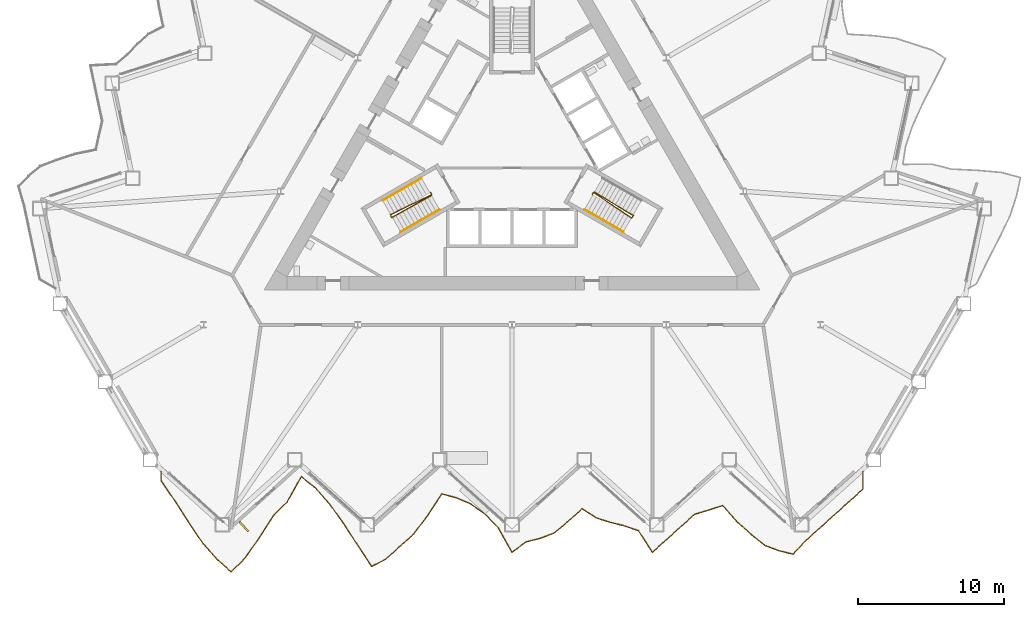
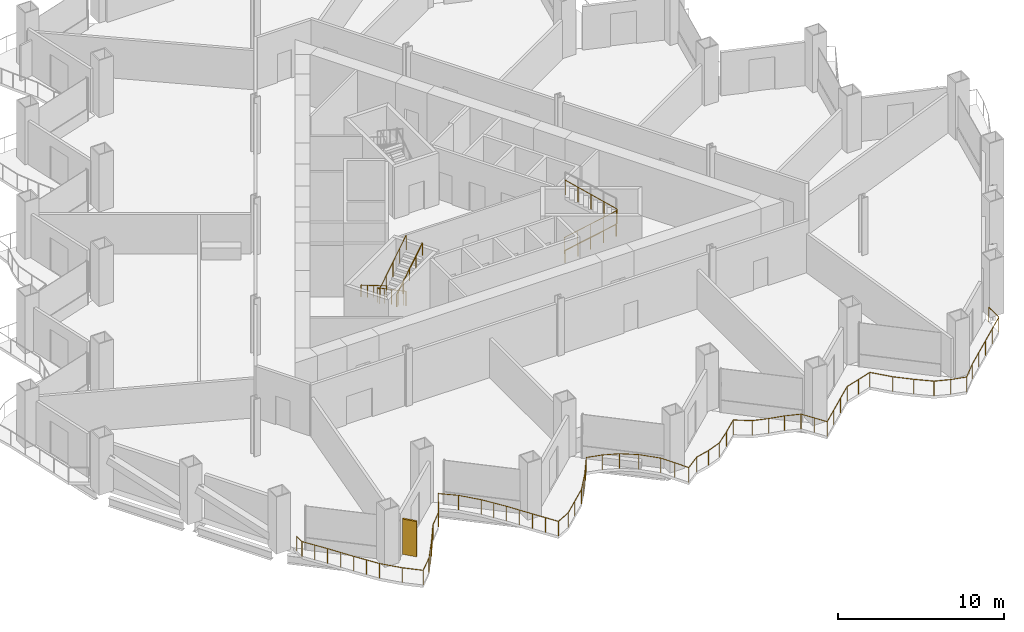
# One storey, part 16 of 20: 6 railings, 1 shading device.
"""IFC4 building model written with IfcOpenShell, lengths in metres."""

from ifc_helpers import new_model, si_unit, direction, frame, origin, origin_2d, place, context, subcontext, project, spatial, rectangle, circle, extrude, material, layer, layer_set, type_object, element, save


model = new_model("IFC4")

# Units and contexts
model_context = context("Model", 3, precision=1e-05, world=origin(), true_north=direction((0.0, 1.0)))
body_context = subcontext(model_context, "Body", "Model", "MODEL_VIEW")
ifc_project = project(units=[si_unit("LENGTHUNIT", "METRE"), si_unit("AREAUNIT", "SQUARE_METRE"), si_unit("VOLUMEUNIT", "CUBIC_METRE"), si_unit("PLANEANGLEUNIT", "RADIAN"), si_unit("MASSUNIT", "GRAM", prefix="KILO")], contexts=[model_context])

# Site, building, storey
site_placement = place(None, origin())
site = spatial("IfcSite", under=ifc_project, at=site_placement, CompositionType="ELEMENT")
building_placement = place(site_placement, origin())
building = spatial("IfcBuilding", under=site, at=building_placement, Name="Cormorant Prow Tower", CompositionType="ELEMENT")
storey_placement = place(building_placement, frame((0.0, 0.0, 34.199951171875)))
storey = spatial("IfcBuildingStorey", under=building, at=storey_placement, Name="L06", CompositionType="ELEMENT", Elevation=34.199951171875)

# Railings
ifc_material_1 = material(Name="Aluminium 6063-T6", Category="aluminium")
railing_type_1 = type_object("IfcRailingType", Name="Balcony guard 1100", PredefinedType="GUARDRAIL", material=ifc_material_1)
railing_1_placement = place(storey_placement, frame((-24.087890625, -22.2685546875, 0.0)))
element("IfcRailing", 1, at=railing_1_placement, inside=storey, type_object=railing_type_1, Name="Balcony guard S", PredefinedType="GUARDRAIL", context=body_context, shape_type="SweptSolid", body=[
    extrude(circle(Radius=0.02392578125, at=origin_2d()), frame((0.0, 0.0, 1.076171875), z_axis=(0.0, -1.0, 0.0), x_axis=(1.0, 0.0, 0.0)), (0.0, 0.0, 1.0), 0.63623046875),
    extrude(circle(Radius=0.02392578125, at=origin_2d()), frame((0.0, -0.63623046875, 1.076171875), z_axis=(0.564130420865, -0.825685695804, 0.0), x_axis=(0.825685695804, 0.564130420865, 0.0)), (0.0, 0.0, 1.0), 1.708251953125),
    extrude(circle(Radius=0.02392578125, at=origin_2d()), frame((0.963623046875, -2.046630859375, 1.076171875), z_axis=(0.541242645962, -0.840866456812, 0.0), x_axis=(0.840866456812, 0.541242645962, 0.0)), (0.0, 0.0, 1.0), 1.7802734375),
    extrude(circle(Radius=0.02392578125, at=origin_2d()), frame((1.92724609375, -3.543701171875, 1.076171875), z_axis=(0.560389601216, -0.828229131853, 0.0), x_axis=(0.828229131853, 0.560389601216, 0.0)), (0.0, 0.0, 1.0), 1.71923828125),
    extrude(circle(Radius=0.02392578125, at=origin_2d()), frame((2.890625, -4.967529296875, 1.076171875), z_axis=(0.668253524619, -0.743933617223, 0.0), x_axis=(0.743933617223, 0.668253524619, 0.0)), (0.0, 0.0, 1.0), 1.44189453125),
    extrude(circle(Radius=0.02392578125, at=origin_2d()), frame((3.854248046875, -6.040283203125, 1.076171875), z_axis=(0.743050653284, -0.669235180378, 0.0), x_axis=(0.669235180378, 0.743050653284, 0.0)), (0.0, 0.0, 1.0), 1.296630859375),
    extrude(circle(Radius=0.02392578125, at=origin_2d()), frame((4.817626953125, -6.907958984375, 1.076171875), z_axis=(0.708182499572, 0.70602942382, 0.0), x_axis=(-0.70602942382, 0.708182499572, 0.0)), (0.0, 0.0, 1.0), 1.360595703125),
    extrude(circle(Radius=0.02392578125, at=origin_2d()), frame((5.78125, -5.947265625, 1.076171875), z_axis=(0.572245109374, 0.820082639005, 0.0), x_axis=(-0.820082639005, 0.572245109374, 0.0)), (0.0, 0.0, 1.0), 1.68359375),
    extrude(circle(Radius=0.02392578125, at=origin_2d()), frame((6.74462890625, -4.566650390625, 1.076171875), z_axis=(0.542180058603, 0.840262330498, 0.0), x_axis=(-0.840262330498, 0.542180058603, 0.0)), (0.0, 0.0, 1.0), 1.77734375),
    extrude(circle(Radius=0.02392578125, at=origin_2d()), frame((7.708251953125, -3.0732421875, 1.076171875), z_axis=(0.699000899641, 0.715120788609, 0.0), x_axis=(-0.715120788609, 0.699000899641, 0.0)), (0.0, 0.0, 1.0), 1.378173828125),
    extrude(circle(Radius=0.02392578125, at=origin_2d()), frame((8.671630859375, -2.087646484375, 1.076171875), z_axis=(0.489672110006, 0.871906660533, 0.0), x_axis=(-0.871906660533, 0.489672110006, 0.0)), (0.0, 0.0, 1.0), 1.9677734375),
    extrude(circle(Radius=0.02392578125, at=origin_2d()), frame((9.63525390625, -0.371826171875, 1.076171875), z_axis=(0.780173921778, -0.625562668146, 0.0), x_axis=(0.625562668146, 0.780173921778, 0.0)), (0.0, 0.0, 1.0), 1.23486328125),
    extrude(circle(Radius=0.02392578125, at=origin_2d()), frame((10.5986328125, -1.144287109375, 1.076171875), z_axis=(0.663142839826, -0.748492868362, 0.0), x_axis=(0.748492868362, 0.663142839826, 0.0)), (0.0, 0.0, 1.0), 1.453125),
    extrude(circle(Radius=0.02392578125, at=origin_2d()), frame((11.562255859375, -2.23193359375, 1.076171875), z_axis=(0.581712103696, -0.813394755586, 0.0), x_axis=(0.813394755586, 0.581712103696, 0.0)), (0.0, 0.0, 1.0), 1.656494140625),
    extrude(circle(Radius=0.02392578125, at=origin_2d()), frame((12.52587890625, -3.579345703125, 1.076171875), z_axis=(0.54421734082, -0.83894426868, 0.0), x_axis=(0.83894426868, 0.54421734082, 0.0)), (0.0, 0.0, 1.0), 1.770263671875),
    extrude(circle(Radius=0.02392578125, at=origin_2d()), frame((13.4892578125, -5.064453125, 1.076171875), z_axis=(0.549133466839, -0.835734668179, 0.0), x_axis=(0.835734668179, 0.549133466839, 0.0)), (0.0, 0.0, 1.0), 1.7548828125),
    extrude(circle(Radius=0.02392578125, at=origin_2d()), frame((14.452880859375, -6.531005859375, 1.076171875), z_axis=(0.891060175297, 0.453885188126, 0.0), x_axis=(-0.453885188126, 0.891060175297, 0.0)), (0.0, 0.0, 1.0), 1.0810546875),
    extrude(circle(Radius=0.02392578125, at=origin_2d()), frame((15.416259765625, -6.040283203125, 1.076171875), z_axis=(0.743228601046, 0.669037552449, 0.0), x_axis=(-0.669037552449, 0.743228601046, 0.0)), (0.0, 0.0, 1.0), 1.296630859375),
    extrude(circle(Radius=0.02392578125, at=origin_2d()), frame((16.3798828125, -5.1728515625, 1.076171875), z_axis=(0.743050653284, 0.669235180378, 0.0), x_axis=(-0.669235180378, 0.743050653284, 0.0)), (0.0, 0.0, 1.0), 1.296630859375),
    extrude(circle(Radius=0.02392578125, at=origin_2d()), frame((17.34326171875, -4.30517578125, 1.076171875), z_axis=(0.601803731083, 0.798644019106, 0.0), x_axis=(-0.798644019106, 0.601803731083, 0.0)), (0.0, 0.0, 1.0), 1.601318359375),
    extrude(circle(Radius=0.02392578125, at=origin_2d()), frame((18.306884765625, -3.0263671875, 1.076171875), z_axis=(0.547570857213, 0.836759318042, 0.0), x_axis=(-0.836759318042, 0.547570857213, 0.0)), (0.0, 0.0, 1.0), 1.75927734375),
    extrude(circle(Radius=0.02392578125, at=origin_2d()), frame((19.270263671875, -1.55419921875, 1.076171875), z_axis=(0.966934765994, -0.255023838713, 0.0), x_axis=(0.255023838713, 0.966934765994, 0.0)), (0.0, 0.0, 1.0), 0.99658203125),
    extrude(circle(Radius=0.02392578125, at=origin_2d()), frame((20.23388671875, -1.808349609375, 1.076171875), z_axis=(0.923208352107, -0.384299803018, 0.0), x_axis=(0.384299803018, 0.923208352107, 0.0)), (0.0, 0.0, 1.0), 1.043701171875),
    extrude(circle(Radius=0.02392578125, at=origin_2d()), frame((21.197509765625, -2.20947265625, 1.076171875), z_axis=(0.822469724274, -0.568808889393, 0.0), x_axis=(0.568808889393, 0.822469724274, 0.0)), (0.0, 0.0, 1.0), 1.17138671875),
    extrude(circle(Radius=0.02392578125, at=origin_2d()), frame((22.160888671875, -2.875732421875, 1.076171875), z_axis=(0.700066090951, -0.714078054768, 0.0), x_axis=(0.714078054768, 0.700066090951, 0.0)), (0.0, 0.0, 1.0), 1.37646484375),
    extrude(circle(Radius=0.02392578125, at=origin_2d()), frame((23.12451171875, -3.858642578125, 1.076171875), z_axis=(0.493201776471, -0.869914942788, 0.0), x_axis=(0.869914942788, 0.493201776471, 0.0)), (0.0, 0.0, 1.0), 1.953369140625),
    extrude(circle(Radius=0.02392578125, at=origin_2d()), frame((24.087890625, -5.557861328125, 1.076171875), z_axis=(0.805112244853, 0.593122477392, 0.0), x_axis=(-0.593122477392, 0.805112244853, 0.0)), (0.0, 0.0, 1.0), 1.196533203125),
    extrude(circle(Radius=0.02392578125, at=origin_2d()), frame((25.05126953125, -4.84814453125, 1.076171875), z_axis=(0.969371980339, 0.245597157421, 0.0), x_axis=(-0.245597157421, 0.969371980339, 0.0)), (0.0, 0.0, 1.0), 0.994140625),
    extrude(circle(Radius=0.02392578125, at=origin_2d()), frame((26.014892578125, -4.60400390625, 1.076171875), z_axis=(0.934742672435, 0.355325394996, 0.0), x_axis=(-0.355325394996, 0.934742672435, 0.0)), (0.0, 0.0, 1.0), 1.030517578125),
    extrude(circle(Radius=0.02392578125, at=origin_2d()), frame((26.978271484375, -4.23779296875, 1.076171875), z_axis=(0.769386385449, 0.63878368004, 0.0), x_axis=(-0.63878368004, 0.769386385449, 0.0)), (0.0, 0.0, 1.0), 1.25244140625),
    extrude(circle(Radius=0.02392578125, at=origin_2d()), frame((27.94189453125, -3.437744140625, 1.076171875), z_axis=(0.743134972725, 0.669141548787, 0.0), x_axis=(-0.669141548787, 0.743134972725, 0.0)), (0.0, 0.0, 1.0), 1.296630859375),
    extrude(circle(Radius=0.02392578125, at=origin_2d()), frame((28.905517578125, -2.570068359375, 1.076171875), z_axis=(0.836102577641, -0.548573130642, 0.0), x_axis=(0.548573130642, 0.836102577641, 0.0)), (0.0, 0.0, 1.0), 1.15234375),
    extrude(circle(Radius=0.02392578125, at=origin_2d()), frame((29.868896484375, -3.2021484375, 1.076171875), z_axis=(0.954165439389, -0.299279658972, 0.0), x_axis=(0.299279658972, 0.954165439389, 0.0)), (0.0, 0.0, 1.0), 1.010009765625),
    extrude(circle(Radius=0.02392578125, at=origin_2d()), frame((30.83251953125, -3.50439453125, 1.076171875), z_axis=(0.970632462035, -0.240567295456, 0.0), x_axis=(0.240567295456, 0.970632462035, 0.0)), (0.0, 0.0, 1.0), 0.992431640625),
    extrude(circle(Radius=0.02392578125, at=origin_2d()), frame((31.7958984375, -3.7431640625, 1.076171875), z_axis=(0.944487111612, -0.328548468265, 0.0), x_axis=(0.328548468265, 0.944487111612, 0.0)), (0.0, 0.0, 1.0), 1.020263671875),
    extrude(circle(Radius=0.02392578125, at=origin_2d()), frame((32.759521484375, -4.078369140625, 1.076171875), z_axis=(0.545668654747, -0.838001025791, 0.0), x_axis=(0.838001025791, 0.545668654747, 0.0)), (0.0, 0.0, 1.0), 1.765380859375),
    extrude(circle(Radius=0.02392578125, at=origin_2d()), frame((33.722900390625, -5.557861328125, 1.076171875), z_axis=(0.743134972725, 0.669141548787, 0.0), x_axis=(-0.669141548787, 0.743134972725, 0.0)), (0.0, 0.0, 1.0), 1.296630859375),
    extrude(circle(Radius=0.02392578125, at=origin_2d()), frame((34.6865234375, -4.690185546875, 1.076171875), z_axis=(0.743144297188, 0.669131193084, 0.0), x_axis=(-0.669131193084, 0.743144297188, 0.0)), (0.0, 0.0, 1.0), 1.29638671875),
    extrude(circle(Radius=0.02392578125, at=origin_2d()), frame((35.64990234375, -3.82275390625, 1.076171875), z_axis=(0.743134972725, 0.669141548787, 0.0), x_axis=(-0.669141548787, 0.743134972725, 0.0)), (0.0, 0.0, 1.0), 1.296630859375),
    extrude(circle(Radius=0.02392578125, at=origin_2d()), frame((36.613525390625, -2.955078125, 1.076171875), z_axis=(0.956893812286, 0.290438000283, 0.0), x_axis=(-0.290438000283, 0.956893812286, 0.0)), (0.0, 0.0, 1.0), 1.007080078125),
    extrude(circle(Radius=0.02392578125, at=origin_2d()), frame((37.5771484375, -2.66259765625, 1.076171875), z_axis=(0.952474581645, 0.304618074515, 0.0), x_axis=(-0.304618074515, 0.952474581645, 0.0)), (0.0, 0.0, 1.0), 1.011474609375),
    extrude(circle(Radius=0.02392578125, at=origin_2d()), frame((38.54052734375, -2.3544921875, 1.076171875), z_axis=(0.664645994415, -0.747158418348, 0.0), x_axis=(0.747158418348, 0.664645994415, 0.0)), (0.0, 0.0, 1.0), 1.44970703125),
    extrude(circle(Radius=0.02392578125, at=origin_2d()), frame((39.504150390625, -3.437744140625, 1.076171875), z_axis=(0.743144297188, -0.669131193084, 0.0), x_axis=(0.669131193084, 0.743144297188, 0.0)), (0.0, 0.0, 1.0), 1.29638671875),
    extrude(circle(Radius=0.02392578125, at=origin_2d()), frame((40.467529296875, -4.30517578125, 1.076171875), z_axis=(0.775819307807, -0.630955150256, 0.0), x_axis=(0.630955150256, 0.775819307807, 0.0)), (0.0, 0.0, 1.0), 1.2421875),
    extrude(circle(Radius=0.02392578125, at=origin_2d()), frame((41.43115234375, -5.0888671875, 1.076171875), z_axis=(0.937321115952, -0.348466821364, 0.0), x_axis=(0.348466821364, 0.937321115952, 0.0)), (0.0, 0.0, 1.0), 1.02783203125),
    extrude(circle(Radius=0.02392578125, at=origin_2d()), frame((42.39453125, -5.447021484375, 1.076171875), z_axis=(0.969780099209, -0.243980653285, 0.0), x_axis=(0.243980653285, 0.969780099209, 0.0)), (0.0, 0.0, 1.0), 0.99365234375),
    extrude(circle(Radius=0.02392578125, at=origin_2d()), frame((43.358154296875, -5.689453125, 1.076171875), z_axis=(0.694060700368, 0.719916484188, 0.0), x_axis=(-0.719916484188, 0.694060700368, 0.0)), (0.0, 0.0, 1.0), 1.387939453125),
    extrude(circle(Radius=0.02392578125, at=origin_2d()), frame((44.321533203125, -4.690185546875, 1.076171875), z_axis=(0.743228601046, 0.669037552449, 0.0), x_axis=(-0.669037552449, 0.743228601046, 0.0)), (0.0, 0.0, 1.0), 1.296630859375),
    extrude(circle(Radius=0.02392578125, at=origin_2d()), frame((45.28515625, -3.82275390625, 1.076171875), z_axis=(0.743050653284, 0.669235180378, 0.0), x_axis=(-0.669235180378, 0.743050653284, 0.0)), (0.0, 0.0, 1.0), 1.296630859375),
    extrude(circle(Radius=0.02392578125, at=origin_2d()), frame((46.24853515625, -2.955078125, 1.076171875), z_axis=(0.743228601046, 0.669037552449, 0.0), x_axis=(-0.669037552449, 0.743228601046, 0.0)), (0.0, 0.0, 1.0), 1.296630859375),
    extrude(circle(Radius=0.02392578125, at=origin_2d()), frame((47.212158203125, -2.087646484375, 1.076171875), z_axis=(0.743134972725, 0.669141548787, 0.0), x_axis=(-0.669141548787, 0.743134972725, 0.0)), (0.0, 0.0, 1.0), 1.296630859375),
    extrude(circle(Radius=0.02392578125, at=origin_2d()), frame((48.17578125, -1.219970703125, 1.076171875), z_axis=(0.0, 1.0, 0.0), x_axis=(-1.0, 0.0, 0.0)), (0.0, 0.0, 1.0), 1.219970703125),
    extrude(circle(Radius=0.02099609375, at=origin_2d()), origin(), (0.0, 0.0, 1.0), 1.052001953125),
    extrude(circle(Radius=0.02099609375, at=origin_2d()), frame((0.0, -0.63623046875, 0.0)), (0.0, 0.0, 1.0), 1.052001953125),
    extrude(circle(Radius=0.02099609375, at=origin_2d()), frame((0.48193359375, -1.34130859375, 0.0)), (0.0, 0.0, 1.0), 1.052001953125),
    extrude(circle(Radius=0.02099609375, at=origin_2d()), frame((0.963623046875, -2.046630859375, 0.0)), (0.0, 0.0, 1.0), 1.052001953125),
    extrude(circle(Radius=0.02099609375, at=origin_2d()), frame((1.4453125, -2.795166015625, 0.0)), (0.0, 0.0, 1.0), 1.052001953125),
    extrude(circle(Radius=0.02099609375, at=origin_2d()), frame((1.92724609375, -3.543701171875, 0.0)), (0.0, 0.0, 1.0), 1.052001953125),
    extrude(circle(Radius=0.02099609375, at=origin_2d()), frame((2.408935546875, -4.255615234375, 0.0)), (0.0, 0.0, 1.0), 1.052001953125),
    extrude(circle(Radius=0.02099609375, at=origin_2d()), frame((2.890625, -4.967529296875, 0.0)), (0.0, 0.0, 1.0), 1.052001953125),
    extrude(circle(Radius=0.02099609375, at=origin_2d()), frame((3.854248046875, -6.040283203125, 0.0)), (0.0, 0.0, 1.0), 1.052001953125),
    extrude(circle(Radius=0.02099609375, at=origin_2d()), frame((4.817626953125, -6.907958984375, 0.0)), (0.0, 0.0, 1.0), 1.052001953125),
    extrude(circle(Radius=0.02099609375, at=origin_2d()), frame((5.78125, -5.947265625, 0.0)), (0.0, 0.0, 1.0), 1.052001953125),
    extrude(circle(Radius=0.02099609375, at=origin_2d()), frame((6.262939453125, -5.2568359375, 0.0)), (0.0, 0.0, 1.0), 1.052001953125),
    extrude(circle(Radius=0.02099609375, at=origin_2d()), frame((6.74462890625, -4.566650390625, 0.0)), (0.0, 0.0, 1.0), 1.052001953125),
    extrude(circle(Radius=0.02099609375, at=origin_2d()), frame((7.2265625, -3.81982421875, 0.0)), (0.0, 0.0, 1.0), 1.052001953125),
    extrude(circle(Radius=0.02099609375, at=origin_2d()), frame((7.708251953125, -3.0732421875, 0.0)), (0.0, 0.0, 1.0), 1.052001953125),
    extrude(circle(Radius=0.02099609375, at=origin_2d()), frame((8.671630859375, -2.087646484375, 0.0)), (0.0, 0.0, 1.0), 1.052001953125),
    extrude(circle(Radius=0.02099609375, at=origin_2d()), frame((9.1533203125, -1.229736328125, 0.0)), (0.0, 0.0, 1.0), 1.052001953125),
    extrude(circle(Radius=0.02099609375, at=origin_2d()), frame((9.63525390625, -0.371826171875, 0.0)), (0.0, 0.0, 1.0), 1.052001953125),
    extrude(circle(Radius=0.02099609375, at=origin_2d()), frame((10.5986328125, -1.144287109375, 0.0)), (0.0, 0.0, 1.0), 1.052001953125),
    extrude(circle(Radius=0.02099609375, at=origin_2d()), frame((11.562255859375, -2.23193359375, 0.0)), (0.0, 0.0, 1.0), 1.052001953125),
    extrude(circle(Radius=0.02099609375, at=origin_2d()), frame((12.0439453125, -2.90576171875, 0.0)), (0.0, 0.0, 1.0), 1.052001953125),
    extrude(circle(Radius=0.02099609375, at=origin_2d()), frame((12.52587890625, -3.579345703125, 0.0)), (0.0, 0.0, 1.0), 1.052001953125),
    extrude(circle(Radius=0.02099609375, at=origin_2d()), frame((13.007568359375, -4.32177734375, 0.0)), (0.0, 0.0, 1.0), 1.052001953125),
    extrude(circle(Radius=0.02099609375, at=origin_2d()), frame((13.4892578125, -5.064453125, 0.0)), (0.0, 0.0, 1.0), 1.052001953125),
    extrude(circle(Radius=0.02099609375, at=origin_2d()), frame((13.97119140625, -5.7978515625, 0.0)), (0.0, 0.0, 1.0), 1.052001953125),
    extrude(circle(Radius=0.02099609375, at=origin_2d()), frame((14.452880859375, -6.531005859375, 0.0)), (0.0, 0.0, 1.0), 1.052001953125),
    extrude(circle(Radius=0.02099609375, at=origin_2d()), frame((15.416259765625, -6.040283203125, 0.0)), (0.0, 0.0, 1.0), 1.052001953125),
    extrude(circle(Radius=0.02099609375, at=origin_2d()), frame((16.3798828125, -5.1728515625, 0.0)), (0.0, 0.0, 1.0), 1.052001953125),
    extrude(circle(Radius=0.02099609375, at=origin_2d()), frame((17.34326171875, -4.30517578125, 0.0)), (0.0, 0.0, 1.0), 1.052001953125),
    extrude(circle(Radius=0.02099609375, at=origin_2d()), frame((17.8251953125, -3.665771484375, 0.0)), (0.0, 0.0, 1.0), 1.052001953125),
    extrude(circle(Radius=0.02099609375, at=origin_2d()), frame((18.306884765625, -3.0263671875, 0.0)), (0.0, 0.0, 1.0), 1.052001953125),
    extrude(circle(Radius=0.02099609375, at=origin_2d()), frame((18.78857421875, -2.290283203125, 0.0)), (0.0, 0.0, 1.0), 1.052001953125),
    extrude(circle(Radius=0.02099609375, at=origin_2d()), frame((19.270263671875, -1.55419921875, 0.0)), (0.0, 0.0, 1.0), 1.052001953125),
    extrude(circle(Radius=0.02099609375, at=origin_2d()), frame((20.23388671875, -1.808349609375, 0.0)), (0.0, 0.0, 1.0), 1.052001953125),
    extrude(circle(Radius=0.02099609375, at=origin_2d()), frame((21.197509765625, -2.20947265625, 0.0)), (0.0, 0.0, 1.0), 1.052001953125),
    extrude(circle(Radius=0.02099609375, at=origin_2d()), frame((22.160888671875, -2.875732421875, 0.0)), (0.0, 0.0, 1.0), 1.052001953125),
    extrude(circle(Radius=0.02099609375, at=origin_2d()), frame((23.12451171875, -3.858642578125, 0.0)), (0.0, 0.0, 1.0), 1.052001953125),
    extrude(circle(Radius=0.02099609375, at=origin_2d()), frame((23.606201171875, -4.708251953125, 0.0)), (0.0, 0.0, 1.0), 1.052001953125),
    extrude(circle(Radius=0.02099609375, at=origin_2d()), frame((24.087890625, -5.557861328125, 0.0)), (0.0, 0.0, 1.0), 1.052001953125),
    extrude(circle(Radius=0.02099609375, at=origin_2d()), frame((25.05126953125, -4.84814453125, 0.0)), (0.0, 0.0, 1.0), 1.052001953125),
    extrude(circle(Radius=0.02099609375, at=origin_2d()), frame((26.014892578125, -4.60400390625, 0.0)), (0.0, 0.0, 1.0), 1.052001953125),
    extrude(circle(Radius=0.02099609375, at=origin_2d()), frame((26.978271484375, -4.23779296875, 0.0)), (0.0, 0.0, 1.0), 1.052001953125),
    extrude(circle(Radius=0.02099609375, at=origin_2d()), frame((27.94189453125, -3.437744140625, 0.0)), (0.0, 0.0, 1.0), 1.052001953125),
    extrude(circle(Radius=0.02099609375, at=origin_2d()), frame((28.905517578125, -2.570068359375, 0.0)), (0.0, 0.0, 1.0), 1.052001953125),
    extrude(circle(Radius=0.02099609375, at=origin_2d()), frame((29.868896484375, -3.2021484375, 0.0)), (0.0, 0.0, 1.0), 1.052001953125),
    extrude(circle(Radius=0.02099609375, at=origin_2d()), frame((30.83251953125, -3.50439453125, 0.0)), (0.0, 0.0, 1.0), 1.052001953125),
    extrude(circle(Radius=0.02099609375, at=origin_2d()), frame((31.7958984375, -3.7431640625, 0.0)), (0.0, 0.0, 1.0), 1.052001953125),
    extrude(circle(Radius=0.02099609375, at=origin_2d()), frame((32.759521484375, -4.078369140625, 0.0)), (0.0, 0.0, 1.0), 1.052001953125),
    extrude(circle(Radius=0.02099609375, at=origin_2d()), frame((33.2412109375, -4.818115234375, 0.0)), (0.0, 0.0, 1.0), 1.052001953125),
    extrude(circle(Radius=0.02099609375, at=origin_2d()), frame((33.722900390625, -5.557861328125, 0.0)), (0.0, 0.0, 1.0), 1.052001953125),
    extrude(circle(Radius=0.02099609375, at=origin_2d()), frame((34.6865234375, -4.690185546875, 0.0)), (0.0, 0.0, 1.0), 1.052001953125),
    extrude(circle(Radius=0.02099609375, at=origin_2d()), frame((35.64990234375, -3.82275390625, 0.0)), (0.0, 0.0, 1.0), 1.052001953125),
    extrude(circle(Radius=0.02099609375, at=origin_2d()), frame((36.613525390625, -2.955078125, 0.0)), (0.0, 0.0, 1.0), 1.052001953125),
    extrude(circle(Radius=0.02099609375, at=origin_2d()), frame((37.5771484375, -2.66259765625, 0.0)), (0.0, 0.0, 1.0), 1.052001953125),
    extrude(circle(Radius=0.02099609375, at=origin_2d()), frame((38.54052734375, -2.3544921875, 0.0)), (0.0, 0.0, 1.0), 1.052001953125),
    extrude(circle(Radius=0.02099609375, at=origin_2d()), frame((39.504150390625, -3.437744140625, 0.0)), (0.0, 0.0, 1.0), 1.052001953125),
    extrude(circle(Radius=0.02099609375, at=origin_2d()), frame((40.467529296875, -4.30517578125, 0.0)), (0.0, 0.0, 1.0), 1.052001953125),
    extrude(circle(Radius=0.02099609375, at=origin_2d()), frame((41.43115234375, -5.0888671875, 0.0)), (0.0, 0.0, 1.0), 1.052001953125),
    extrude(circle(Radius=0.02099609375, at=origin_2d()), frame((42.39453125, -5.447021484375, 0.0)), (0.0, 0.0, 1.0), 1.052001953125),
    extrude(circle(Radius=0.02099609375, at=origin_2d()), frame((43.358154296875, -5.689453125, 0.0)), (0.0, 0.0, 1.0), 1.052001953125),
    extrude(circle(Radius=0.02099609375, at=origin_2d()), frame((44.321533203125, -4.690185546875, 0.0)), (0.0, 0.0, 1.0), 1.052001953125),
    extrude(circle(Radius=0.02099609375, at=origin_2d()), frame((45.28515625, -3.82275390625, 0.0)), (0.0, 0.0, 1.0), 1.052001953125),
    extrude(circle(Radius=0.02099609375, at=origin_2d()), frame((46.24853515625, -2.955078125, 0.0)), (0.0, 0.0, 1.0), 1.052001953125),
    extrude(circle(Radius=0.02099609375, at=origin_2d()), frame((47.212158203125, -2.087646484375, 0.0)), (0.0, 0.0, 1.0), 1.052001953125),
    extrude(circle(Radius=0.02099609375, at=origin_2d()), frame((48.17578125, -1.219970703125, 0.0)), (0.0, 0.0, 1.0), 1.052001953125),
    extrude(circle(Radius=0.02099609375, at=origin_2d()), frame((48.17578125, 0.0, 0.0)), (0.0, 0.0, 1.0), 1.052001953125),
])
ifc_material_2 = material(Name="Stainless steel", Category="steel")
railing_type_2 = type_object("IfcRailingType", Name="Stair guard 1100", PredefinedType="GUARDRAIL", material=ifc_material_2)
railing_2_placement = place(storey_placement, frame((-5.585205078125, -3.137939453125, 0.0)))
element("IfcRailing", 2, at=railing_2_placement, inside=storey, type_object=railing_type_2, Name="L06 ST1 stair guard 1", PredefinedType="GUARDRAIL", context=body_context, shape_type="SweptSolid", body=[
    extrude(circle(Radius=0.02392578125, at=origin_2d()), frame((0.0, 0.0, 1.076171875), z_axis=(0.501036270542, -0.865426285481, 0.0), x_axis=(0.865426285481, 0.501036270542, 0.0)), (0.0, 0.0, 1.0), 0.150146484375),
    extrude(circle(Radius=0.02392578125, at=origin_2d()), frame((0.0751953125, -0.1298828125, 1.076171875), z_axis=(-0.744644002882, -0.368732342607, 0.556364780057), x_axis=(0.443754251299, -0.896148516963, 0.0)), (0.0, 0.0, 1.0), 3.774658203125),
    extrude(circle(Radius=0.02392578125, at=origin_2d()), frame((-2.735595703125, -1.521728515625, 3.17626953125), z_axis=(0.274721127897, -0.961523947641, 0.0), x_axis=(0.961523947641, 0.274721127897, 0.0)), (0.0, 0.0, 1.0), 0.2060546875),
    extrude(circle(Radius=0.02392578125, at=origin_2d()), frame((-2.678955078125, -1.719970703125, 3.17626953125), z_axis=(0.725764528363, 0.403684660475, 0.557049857973), x_axis=(-0.486086505765, 0.873910698477, 0.0)), (0.0, 0.0, 1.0), 3.76953125),
    extrude(circle(Radius=0.02099609375, at=origin_2d()), origin(), (0.0, 0.0, 1.0), 1.052001953125),
    extrude(circle(Radius=0.02099609375, at=origin_2d()), frame((0.0751953125, -0.1298828125, 0.0)), (0.0, 0.0, 1.0), 1.052001953125),
    extrude(circle(Radius=0.02099609375, at=origin_2d()), frame((-0.62744140625, -0.477783203125, 0.52490234375)), (0.0, 0.0, 1.0), 1.052001953125),
    extrude(circle(Radius=0.02099609375, at=origin_2d()), frame((-1.330078125, -0.82568359375, 1.050048828125)), (0.0, 0.0, 1.0), 1.052001953125),
    extrude(circle(Radius=0.02099609375, at=origin_2d()), frame((-2.032958984375, -1.173828125, 1.5751953125)), (0.0, 0.0, 1.0), 1.052001953125),
    extrude(circle(Radius=0.02099609375, at=origin_2d()), frame((-2.735595703125, -1.521728515625, 2.10009765625)), (0.0, 0.0, 1.0), 1.052001953125),
    extrude(circle(Radius=0.02099609375, at=origin_2d()), frame((-2.678955078125, -1.719970703125, 2.10009765625)), (0.0, 0.0, 1.0), 1.052001953125),
    extrude(circle(Radius=0.02099609375, at=origin_2d()), frame((-1.9951171875, -1.339599609375, 2.625)), (0.0, 0.0, 1.0), 1.052001953125),
    extrude(circle(Radius=0.02099609375, at=origin_2d()), frame((-1.31103515625, -0.958984375, 3.14990234375)), (0.0, 0.0, 1.0), 1.052001953125),
    extrude(circle(Radius=0.02099609375, at=origin_2d()), frame((-0.626953125, -0.57861328125, 3.675048828125)), (0.0, 0.0, 1.0), 1.052001953125),
    extrude(circle(Radius=0.02099609375, at=origin_2d()), frame((0.056884765625, -0.1982421875, 4.199951171875)), (0.0, 0.0, 1.0), 1.052001953125),
])
railing_3_placement = place(storey_placement, frame((5.510009765625, -3.267822265625, 0.0)))
element("IfcRailing", 3, at=railing_3_placement, inside=storey, type_object=railing_type_2, Name="L06 ST2 stair guard 1", PredefinedType="GUARDRAIL", context=body_context, shape_type="SweptSolid", body=[
    extrude(circle(Radius=0.02392578125, at=origin_2d()), frame((0.0, 0.0, 1.076171875), z_axis=(0.501036270542, 0.865426285481, 0.0), x_axis=(-0.865426285481, 0.501036270542, 0.0)), (0.0, 0.0, 1.0), 0.150146484375),
    extrude(circle(Radius=0.02392578125, at=origin_2d()), frame((0.0751953125, 0.1298828125, 1.076171875), z_axis=(0.691630634645, -0.46052652377, 0.556383308633), x_axis=(0.554233058506, 0.832361530141, 0.0)), (0.0, 0.0, 1.0), 3.774658203125),
    extrude(circle(Radius=0.02392578125, at=origin_2d()), frame((2.685791015625, -1.6083984375, 3.17626953125), z_axis=(0.695164929852, 0.718850276695, 0.0), x_axis=(-0.718850276695, 0.695164929852, 0.0)), (0.0, 0.0, 1.0), 0.2060546875),
    extrude(circle(Radius=0.02392578125, at=origin_2d()), frame((2.8291015625, -1.460205078125, 3.17626953125), z_axis=(-0.712489022558, 0.426677363931, 0.55705100291), x_axis=(-0.513773053629, -0.857926132814, 0.0)), (0.0, 0.0, 1.0), 3.76953125),
    extrude(circle(Radius=0.02099609375, at=origin_2d()), origin(), (0.0, 0.0, 1.0), 1.052001953125),
    extrude(circle(Radius=0.02099609375, at=origin_2d()), frame((0.0751953125, 0.1298828125, 0.0)), (0.0, 0.0, 1.0), 1.052001953125),
    extrude(circle(Radius=0.02099609375, at=origin_2d()), frame((0.727783203125, -0.3046875, 0.52490234375)), (0.0, 0.0, 1.0), 1.052001953125),
    extrude(circle(Radius=0.02099609375, at=origin_2d()), frame((1.38037109375, -0.7392578125, 1.050048828125)), (0.0, 0.0, 1.0), 1.052001953125),
    extrude(circle(Radius=0.02099609375, at=origin_2d()), frame((2.033203125, -1.173828125, 1.5751953125)), (0.0, 0.0, 1.0), 1.052001953125),
    extrude(circle(Radius=0.02099609375, at=origin_2d()), frame((2.685791015625, -1.6083984375, 2.10009765625)), (0.0, 0.0, 1.0), 1.052001953125),
    extrude(circle(Radius=0.02099609375, at=origin_2d()), frame((2.8291015625, -1.460205078125, 2.10009765625)), (0.0, 0.0, 1.0), 1.052001953125),
    extrude(circle(Radius=0.02099609375, at=origin_2d()), frame((2.15771484375, -1.05810546875, 2.625)), (0.0, 0.0, 1.0), 1.052001953125),
    extrude(circle(Radius=0.02099609375, at=origin_2d()), frame((1.486328125, -0.656005859375, 3.14990234375)), (0.0, 0.0, 1.0), 1.052001953125),
    extrude(circle(Radius=0.02099609375, at=origin_2d()), frame((0.814697265625, -0.25390625, 3.675048828125)), (0.0, 0.0, 1.0), 1.052001953125),
    extrude(circle(Radius=0.02099609375, at=origin_2d()), frame((0.143310546875, 0.148193359375, 4.199951171875)), (0.0, 0.0, 1.0), 1.052001953125),
])
ifc_material_3 = material(Name="Stainless steel", Category="steel")
railing_type_3 = type_object("IfcRailingType", Name="Stair handrail 900", PredefinedType="HANDRAIL", material=ifc_material_3)
railing_4_placement = place(storey_placement, frame((-6.212890625, -2.150634765625, 0.175048828125)))
element("IfcRailing", 4, at=railing_4_placement, inside=storey, type_object=railing_type_3, Name="L06 ST1 stair handrail 1", PredefinedType="HANDRAIL", context=body_context, shape_type="SweptSolid", body=[
    extrude(circle(Radius=0.02392578125, at=origin_2d()), frame((0.0, 0.0, 0.8759765625), z_axis=(-0.734394994316, -0.423994474112, 0.52999309264), x_axis=(0.499992328818, -0.866029832698, 0.0)), (0.0, 0.0, 1.0), 3.63232421875),
    extrude(circle(Radius=0.02099609375, at=origin_2d()), origin(), (0.0, 0.0, 1.0), 0.851806640625),
    extrude(circle(Radius=0.02099609375, at=origin_2d()), frame((-0.6669921875, -0.385009765625, 0.481201171875)), (0.0, 0.0, 1.0), 0.851806640625),
    extrude(circle(Radius=0.02099609375, at=origin_2d()), frame((-1.333740234375, -0.77001953125, 0.96240234375)), (0.0, 0.0, 1.0), 0.851806640625),
    extrude(circle(Radius=0.02099609375, at=origin_2d()), frame((-2.00048828125, -1.155029296875, 1.44384765625)), (0.0, 0.0, 1.0), 0.851806640625),
    extrude(circle(Radius=0.02099609375, at=origin_2d()), frame((-2.66748046875, -1.5400390625, 1.925048828125)), (0.0, 0.0, 1.0), 0.851806640625),
])
railing_5_placement = place(storey_placement, frame((-7.63623046875, -5.84521484375, 2.275146484375)))
element("IfcRailing", 5, at=railing_5_placement, inside=storey, type_object=railing_type_3, Name="L06 ST1 stair handrail 2", PredefinedType="HANDRAIL", context=body_context, shape_type="SweptSolid", body=[
    extrude(circle(Radius=0.02392578125, at=origin_2d()), frame((0.0, 0.0, 0.8759765625), z_axis=(0.734390191396, 0.42403051051, 0.529970917068), x_axis=(-0.500026652407, 0.866010015463, 0.0)), (0.0, 0.0, 1.0), 3.6318359375),
    extrude(circle(Radius=0.02099609375, at=origin_2d()), origin(), (0.0, 0.0, 1.0), 0.851806640625),
    extrude(circle(Radius=0.02099609375, at=origin_2d()), frame((0.666748046875, 0.385009765625, 0.481201171875)), (0.0, 0.0, 1.0), 0.851806640625),
    extrude(circle(Radius=0.02099609375, at=origin_2d()), frame((1.33349609375, 0.77001953125, 0.96240234375)), (0.0, 0.0, 1.0), 0.851806640625),
    extrude(circle(Radius=0.02099609375, at=origin_2d()), frame((2.00048828125, 1.155029296875, 1.443603515625)), (0.0, 0.0, 1.0), 0.851806640625),
    extrude(circle(Radius=0.02099609375, at=origin_2d()), frame((2.667236328125, 1.5400390625, 1.9248046875)), (0.0, 0.0, 1.0), 0.851806640625),
])
railing_6_placement = place(storey_placement, frame((4.968994140625, -4.30517578125, 0.175048828125)))
element("IfcRailing", 6, at=railing_6_placement, inside=storey, type_object=railing_type_3, Name="L06 ST2 stair handrail 1", PredefinedType="HANDRAIL", context=body_context, shape_type="SweptSolid", body=[
    extrude(circle(Radius=0.02392578125, at=origin_2d()), frame((0.0, 0.0, 0.8759765625), z_axis=(0.734364028329, -0.424015404183, 0.530019255228), x_axis=(0.500026652407, 0.866010015463, 0.0)), (0.0, 0.0, 1.0), 3.632080078125),
    extrude(circle(Radius=0.02099609375, at=origin_2d()), origin(), (0.0, 0.0, 1.0), 0.851806640625),
    extrude(circle(Radius=0.02099609375, at=origin_2d()), frame((0.666748046875, -0.385009765625, 0.481201171875)), (0.0, 0.0, 1.0), 0.851806640625),
    extrude(circle(Radius=0.02099609375, at=origin_2d()), frame((1.33349609375, -0.77001953125, 0.96240234375)), (0.0, 0.0, 1.0), 0.851806640625),
    extrude(circle(Radius=0.02099609375, at=origin_2d()), frame((2.00048828125, -1.155029296875, 1.44384765625)), (0.0, 0.0, 1.0), 0.851806640625),
    extrude(circle(Radius=0.02099609375, at=origin_2d()), frame((2.667236328125, -1.5400390625, 1.925048828125)), (0.0, 0.0, 1.0), 0.851806640625),
])

# Shading device
ifc_material_4 = material(Name="Terracotta", Category="masonry")
ifc_layer = layer(ifc_material_4, 0.1201171875)
ifc_layer_set = layer_set([ifc_layer], Name="Terracotta")
shading_device_type = type_object("IfcShadingDeviceType", Name="Terracotta baguette fin 120x900x2600", PredefinedType="USERDEFINED", material=ifc_layer_set)
shading_device_placement = place(storey_placement, frame((-18.402099609375, -26.05029296875, 0.0), z_axis=(0.0, 0.0, 1.0), x_axis=(0.743144833547, 0.669130597396, 0.0)))
element("IfcShadingDevice", 7, at=shading_device_placement, inside=storey, type_object=shading_device_type, Name="Baguette fin S01", ObjectType="BAGUETTE", PredefinedType="USERDEFINED", context=body_context, shape_type="SweptSolid", body=[
    extrude(rectangle(XDim=0.1201171875, YDim=0.89990234375, at=origin_2d()), origin(), (0.0, 0.0, 1.0), 2.60009765625),
])

save(model, "model.ifc")
